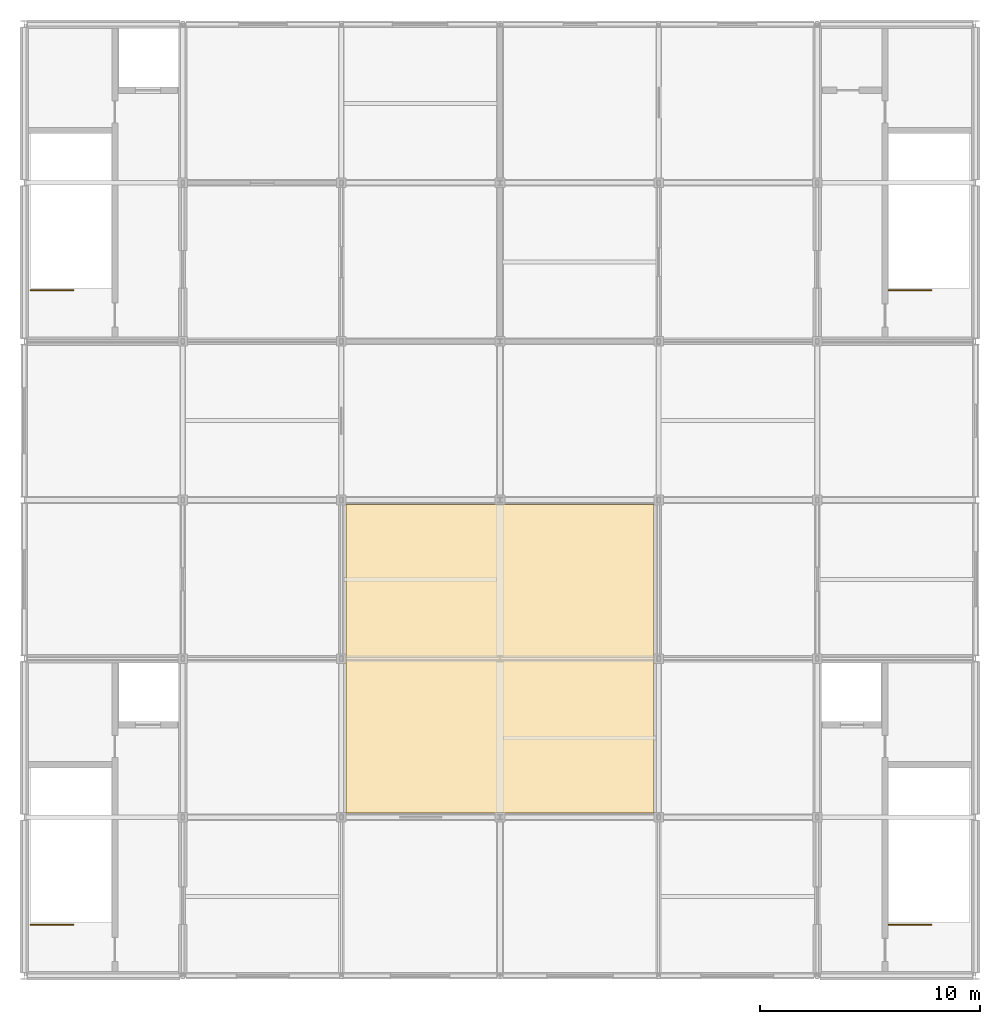
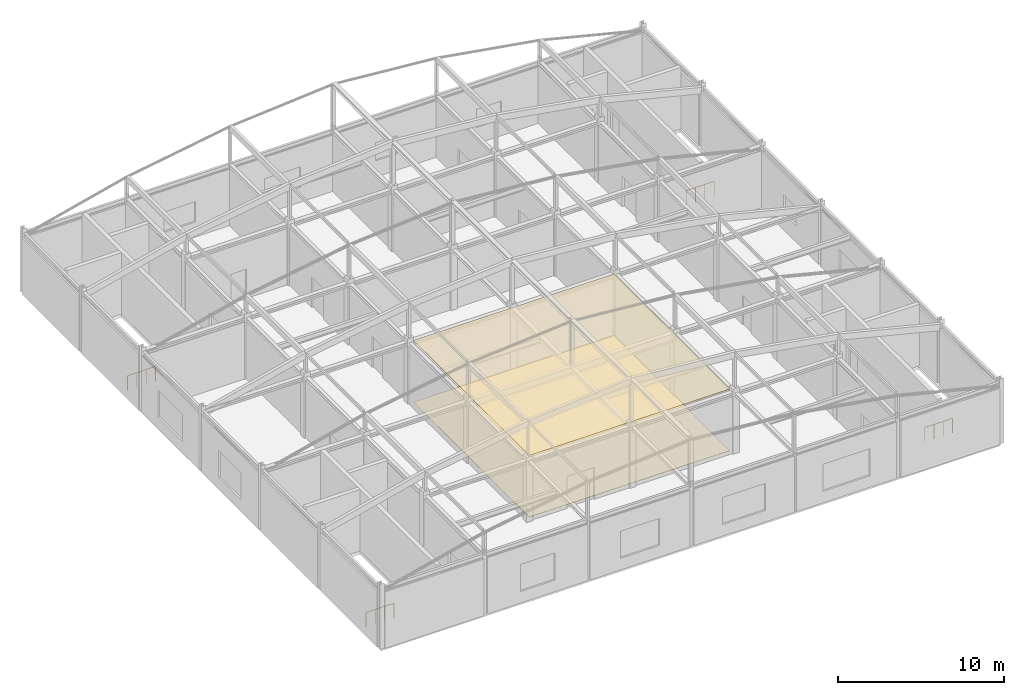
# One storey, part 23 of 23: 4 railings, 2 coverings.
"""IFC4 building model written with IfcOpenShell, lengths in metres."""

from ifc_helpers import new_model, si_unit, direction, frame, origin, origin_2d, place, context, subcontext, project, spatial, polyline, circle, outline, extrude, material, layer, layer_set, type_object, element, save


model = new_model("IFC4")

# Units and contexts
model_context = context("Model", 3, precision=1e-05, world=origin(), true_north=direction((0.0, 1.0)))
body_context = subcontext(model_context, "Body", "Model", "MODEL_VIEW")
ifc_project = project(units=[si_unit("LENGTHUNIT", "METRE"), si_unit("AREAUNIT", "SQUARE_METRE"), si_unit("VOLUMEUNIT", "CUBIC_METRE"), si_unit("PLANEANGLEUNIT", "RADIAN"), si_unit("MASSUNIT", "GRAM", prefix="KILO")], contexts=[model_context])

# Site, building, storey
site_placement = place(None, origin())
site = spatial("IfcSite", under=ifc_project, at=site_placement, CompositionType="ELEMENT")
building_placement = place(site_placement, origin())
building = spatial("IfcBuilding", under=site, at=building_placement, Name="Cendaluz Park School", CompositionType="ELEMENT")
storey_placement = place(building_placement, frame((0.0, 0.0, 67.199951171875)))
storey = spatial("IfcBuildingStorey", under=building, at=storey_placement, Name="L16", CompositionType="ELEMENT", Elevation=67.199951171875)

# Coverings
ifc_material_1 = material(Name="Mineral Fibre Acoustic Tile")
ifc_layer_1 = layer(ifc_material_1, 0.030029296875)
ifc_layer_set_1 = layer_set([ifc_layer_1], Name="Mineral Fibre Acoustic Tile")
covering_type_1 = type_object("IfcCoveringType", Name="CV-CLG01", PredefinedType="CEILING", material=ifc_layer_set_1)
covering_1_placement = place(storey_placement, frame((0.0, 0.0, 4.530029296875)))
element("IfcCovering", 1, at=covering_1_placement, inside=storey, type_object=covering_type_1, Name="CV-CLG-L16-01", PredefinedType="CEILING", context=body_context, shape_type="SweptSolid", body=[
    extrude(outline(polyline([(79.39990234375, 21.800048828125), (93.39990234375, 21.800048828125), (93.39990234375, 35.800048828125), (79.39990234375, 35.800048828125), (79.39990234375, 21.800048828125)])), origin(), (0.0, 0.0, 1.0), 0.030029296875),
])
ifc_material_2 = material(Name="Polished Terrazzo Tile")
ifc_layer_2 = layer(ifc_material_2, 0.02001953125)
ifc_layer_set_2 = layer_set([ifc_layer_2], Name="Polished Terrazzo Tile")
covering_type_2 = type_object("IfcCoveringType", Name="CV-FLR01", PredefinedType="FLOORING", material=ifc_layer_set_2)
covering_2_placement = place(storey_placement, origin())
element("IfcCovering", 2, at=covering_2_placement, inside=storey, type_object=covering_type_2, Name="CV-FLR-L16-01", PredefinedType="FLOORING", context=body_context, shape_type="SweptSolid", body=[
    extrude(outline(polyline([(79.39990234375, 21.800048828125), (93.39990234375, 21.800048828125), (93.39990234375, 35.800048828125), (79.39990234375, 35.800048828125), (79.39990234375, 21.800048828125)])), origin(), (0.0, 0.0, 1.0), 0.02001953125),
])

# Railings
ifc_material_3 = material(Name="Wrought Iron")
railing_type = type_object("IfcRailingType", Name="GR-ST01", PredefinedType="BALUSTRADE", material=ifc_material_3)
for number, where, name in (
    (3, (65.090087890625, 16.719970703125, 0.0), "GR-TOP-C1-L16"),
    (4, (104.0400390625, 16.719970703125, 0.0), "GR-TOP-C2-L16"),
    (5, (65.090087890625, 45.52001953125, 0.0), "GR-TOP-C3-L16"),
    (6, (104.0400390625, 45.52001953125, 0.0), "GR-TOP-C4-L16"),
):
    element("IfcRailing", number, at=place(storey_placement, frame(where)), inside=storey, type_object=railing_type, Name=name, PredefinedType="BALUSTRADE", context=body_context, shape_type="SweptSolid", body=[
        extrude(circle(Radius=0.02392578125, at=origin_2d()), frame((0.0, 0.0, 1.076171875), z_axis=(1.0, 0.0, 0.0), x_axis=(0.0, 1.0, 0.0)), (0.0, 0.0, 1.0), 1.949951171875),
        extrude(circle(Radius=0.02099609375, at=origin_2d()), origin(), (0.0, 0.0, 1.0), 1.052001953125),
        extrude(circle(Radius=0.02099609375, at=origin_2d()), frame((0.64990234375, 0.0, 0.0)), (0.0, 0.0, 1.0), 1.052001953125),
        extrude(circle(Radius=0.02099609375, at=origin_2d()), frame((1.300048828125, 0.0, 0.0)), (0.0, 0.0, 1.0), 1.052001953125),
        extrude(circle(Radius=0.02099609375, at=origin_2d()), frame((1.949951171875, 0.0, 0.0)), (0.0, 0.0, 1.0), 1.052001953125),
    ])

save(model, "model.ifc")
